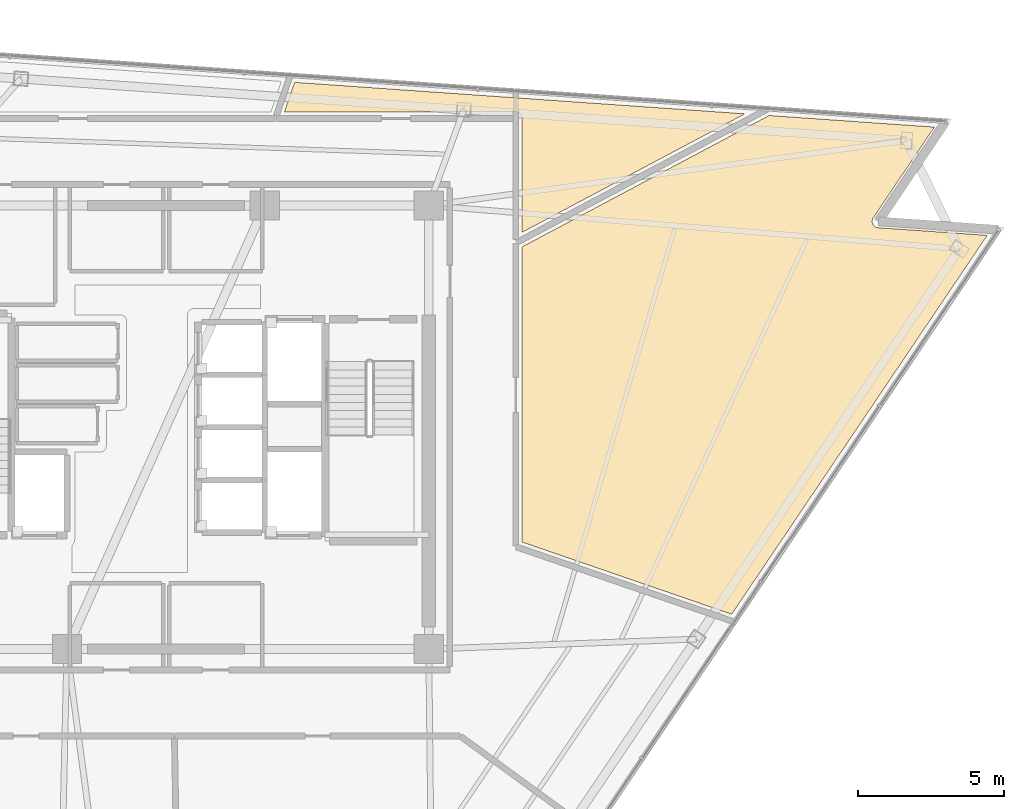
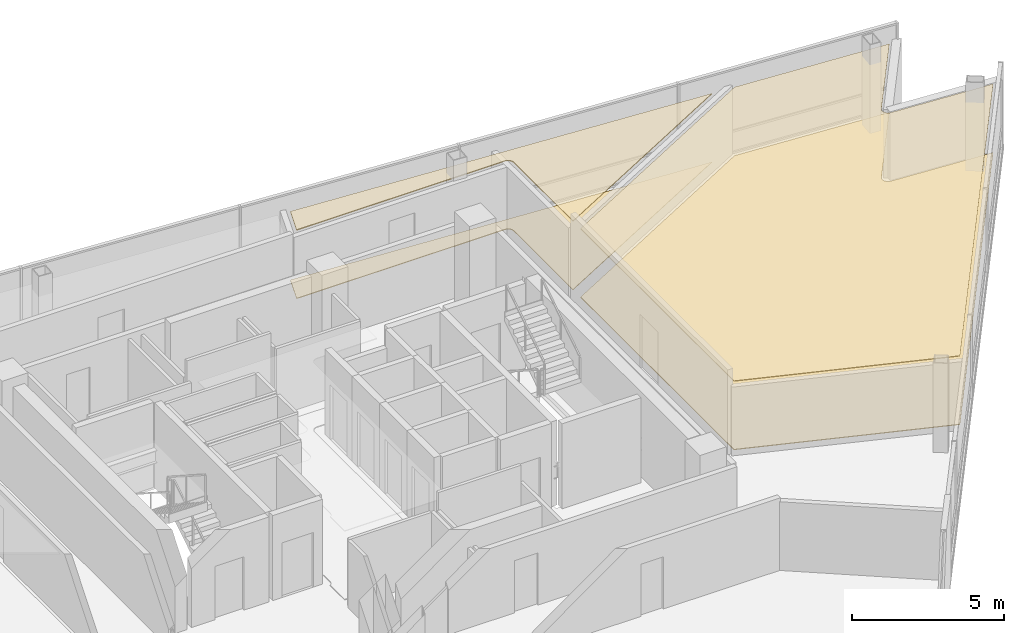
# One storey, part 14 of 14: 4 coverings.
"""IFC4 building model written with IfcOpenShell, lengths in metres."""

from ifc_helpers import new_model, si_unit, direction, frame, origin, place, context, subcontext, project, spatial, polyline, outline, extrude, material, layer, layer_set, type_object, element, save


model = new_model("IFC4")

# Units and contexts
model_context = context("Model", 3, precision=1e-05, world=origin(), true_north=direction((0.0, 1.0)))
body_context = subcontext(model_context, "Body", "Model", "MODEL_VIEW")
ifc_project = project(units=[si_unit("LENGTHUNIT", "METRE"), si_unit("AREAUNIT", "SQUARE_METRE"), si_unit("VOLUMEUNIT", "CUBIC_METRE"), si_unit("PLANEANGLEUNIT", "RADIAN"), si_unit("MASSUNIT", "GRAM", prefix="KILO")], contexts=[model_context])

# Site, building, storey
site_placement = place(None, origin())
site = spatial("IfcSite", under=ifc_project, at=site_placement, CompositionType="ELEMENT")
building_placement = place(site_placement, origin())
building = spatial("IfcBuilding", under=site, at=building_placement, Name="Tharavind Bronze Gate", CompositionType="ELEMENT")
storey_placement = place(building_placement, frame((0.0, 0.0, 241.449951171875)))
storey = spatial("IfcBuildingStorey", under=building, at=storey_placement, Name="L62", CompositionType="ELEMENT", Elevation=241.449951171875)

# Coverings
ifc_material_1 = material(Name="Perforated Bronze Acoustic Panel", Category="bronze")
ifc_layer_1 = layer(ifc_material_1, 0.044921875)
ifc_layer_set_1 = layer_set([ifc_layer_1], Name="Perforated Bronze Acoustic Panel")
covering_type_1 = type_object("IfcCoveringType", Name="ACOUSTIC BRONZE BAFFLE CEILING", PredefinedType="CEILING", material=ifc_layer_set_1)
covering_1_placement = place(storey_placement, frame((0.0, 0.0, 2.75)))
element("IfcCovering", 1, at=covering_1_placement, inside=storey, type_object=covering_type_1, Name="L62-RM-06 suspended ceiling", PredefinedType="CEILING", context=body_context, shape_type="SweptSolid", body=[
    extrude(outline(polyline([(19.2783203125, -6.4052734375), (28.034912109375, 6.5771484375), (24.297607421875, 6.83837890625), (24.286865234375, 6.839599609375), (24.2861328125, 6.839599609375), (24.2646484375, 6.84326171875), (24.243408203125, 6.84912109375), (24.222900390625, 6.85693359375), (24.203369140625, 6.866943359375), (24.184814453125, 6.87890625), (24.167724609375, 6.892333984375), (24.15185546875, 6.90771484375), (24.1376953125, 6.92431640625), (24.125244140625, 6.9423828125), (24.11474609375, 6.961669921875), (24.106201171875, 6.981689453125), (24.099609375, 7.002685546875), (24.09521484375, 7.024169921875), (24.0927734375, 7.0458984375), (24.0927734375, 7.06787109375), (24.0947265625, 7.089599609375), (24.09912109375, 7.111328125), (24.105224609375, 7.132080078125), (24.11376953125, 7.152587890625), (24.124267578125, 7.171875), (24.12451171875, 7.17236328125), (24.13037109375, 7.181396484375), (26.225341796875, 10.287353515625), (20.561279296875, 10.683349609375), (12.10009765625, 6.1845703125), (12.10009765625, -3.93359375), (19.2783203125, -6.4052734375)])), origin(), (0.0, 0.0, 1.0), 0.03515625),
])
ifc_material_2 = material(Name="Engineered Oak & Carpet Tile", Category="wood")
ifc_layer_2 = layer(ifc_material_2, 0.02490234375)
ifc_layer_set_2 = layer_set([ifc_layer_2], Name="Engineered Oak & Carpet Tile")
covering_type_2 = type_object("IfcCoveringType", Name="ENGINEERED TIMBER FLOORING", PredefinedType="FLOORING", material=ifc_layer_set_2)
covering_2_placement = place(storey_placement, origin())
element("IfcCovering", 2, at=covering_2_placement, inside=storey, type_object=covering_type_2, Name="L62-RM-01 floor finish", PredefinedType="FLOORING", context=body_context, shape_type="SweptSolid", body=[
    extrude(outline(polyline([(11.87939453125, 10.800048828125), (11.89013671875, 10.7998046875), (11.890869140625, 10.7998046875), (11.912353515625, 10.797607421875), (11.933349609375, 10.79345703125), (11.9541015625, 10.787109375), (11.97412109375, 10.77880859375), (11.9931640625, 10.768798828125), (12.010986328125, 10.756591796875), (12.027587890625, 10.742919921875), (12.04296875, 10.727783203125), (12.056640625, 10.7109375), (12.068603515625, 10.693115234375), (12.078857421875, 10.674072265625), (12.087158203125, 10.654052734375), (12.093505859375, 10.63330078125), (12.09765625, 10.6123046875), (12.099609375, 10.5908203125), (12.099609375, 10.590087890625), (12.10009765625, 10.579345703125), (12.10009765625, 6.682861328125), (19.73291015625, 10.7412109375), (4.302734375, 11.8203125), (3.951416015625, 10.800048828125), (11.87939453125, 10.800048828125)])), origin(), (0.0, 0.0, 1.0), 0.025146484375),
])
covering_3_placement = place(storey_placement, origin())
element("IfcCovering", 3, at=covering_3_placement, inside=storey, type_object=covering_type_2, Name="L62-RM-06 floor finish", PredefinedType="FLOORING", context=body_context, shape_type="SweptSolid", body=[
    extrude(outline(polyline([(19.2783203125, -6.4052734375), (28.034912109375, 6.5771484375), (24.297607421875, 6.83837890625), (24.286865234375, 6.839599609375), (24.2861328125, 6.839599609375), (24.2646484375, 6.84326171875), (24.243408203125, 6.84912109375), (24.222900390625, 6.85693359375), (24.203369140625, 6.866943359375), (24.184814453125, 6.87890625), (24.167724609375, 6.892333984375), (24.15185546875, 6.90771484375), (24.1376953125, 6.92431640625), (24.125244140625, 6.9423828125), (24.11474609375, 6.961669921875), (24.106201171875, 6.981689453125), (24.099609375, 7.002685546875), (24.09521484375, 7.024169921875), (24.0927734375, 7.0458984375), (24.0927734375, 7.06787109375), (24.0947265625, 7.089599609375), (24.09912109375, 7.111328125), (24.105224609375, 7.132080078125), (24.11376953125, 7.152587890625), (24.124267578125, 7.171875), (24.12451171875, 7.17236328125), (24.13037109375, 7.181396484375), (26.225341796875, 10.287353515625), (20.561279296875, 10.683349609375), (12.10009765625, 6.1845703125), (12.10009765625, -3.93359375), (19.2783203125, -6.4052734375)])), origin(), (0.0, 0.0, 1.0), 0.025146484375),
])
ifc_material_3 = material(Name="Acoustic Gypsum Board", Category="gypsum")
ifc_layer_3 = layer(ifc_material_3, 0.030029296875)
ifc_layer_set_3 = layer_set([ifc_layer_3], Name="Acoustic Gypsum Board")
covering_type_3 = type_object("IfcCoveringType", Name="GYPSUM SUSPENDED CEILING", PredefinedType="CEILING", material=ifc_layer_set_3)
covering_4_placement = place(storey_placement, frame((0.0, 0.0, 2.75)))
element("IfcCovering", 4, at=covering_4_placement, inside=storey, type_object=covering_type_3, Name="L62-RM-01 suspended ceiling", PredefinedType="CEILING", context=body_context, shape_type="SweptSolid", body=[
    extrude(outline(polyline([(11.87939453125, 10.800048828125), (11.89013671875, 10.7998046875), (11.890869140625, 10.7998046875), (11.912353515625, 10.797607421875), (11.933349609375, 10.79345703125), (11.9541015625, 10.787109375), (11.97412109375, 10.77880859375), (11.9931640625, 10.768798828125), (12.010986328125, 10.756591796875), (12.027587890625, 10.742919921875), (12.04296875, 10.727783203125), (12.056640625, 10.7109375), (12.068603515625, 10.693115234375), (12.078857421875, 10.674072265625), (12.087158203125, 10.654052734375), (12.093505859375, 10.63330078125), (12.09765625, 10.6123046875), (12.099609375, 10.5908203125), (12.099609375, 10.590087890625), (12.10009765625, 10.579345703125), (12.10009765625, 6.682861328125), (19.73291015625, 10.7412109375), (4.302734375, 11.8203125), (3.951416015625, 10.800048828125), (11.87939453125, 10.800048828125)])), origin(), (0.0, 0.0, 1.0), 0.03515625),
])

save(model, "model.ifc")
